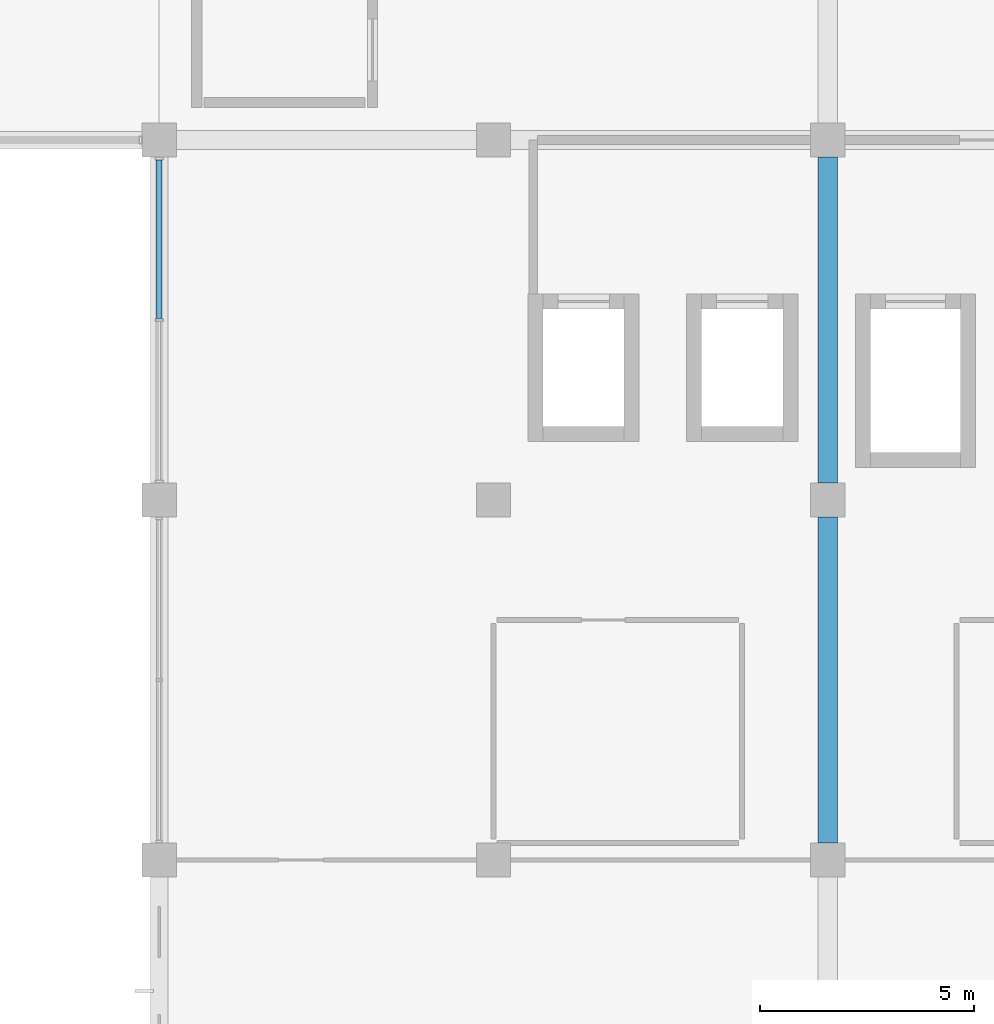
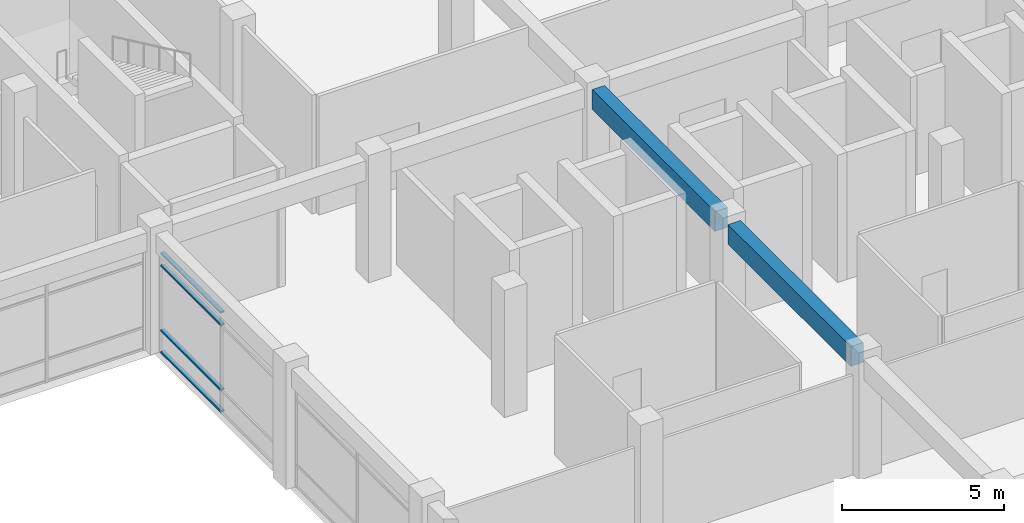
# One storey, part 26 of 62: 4 members, 2 beams, 1 element without a shape of its own.
"""IFC4 building model written with IfcOpenShell, lengths in metres."""

from ifc_helpers import new_model, si_unit, direction, frame, origin, origin_2d, place, context, subcontext, project, spatial, rectangle, hollow_rectangle, extrude, material, material_profile, profile_set, type_object, element, aggregate, save


model = new_model("IFC4")

# Units and contexts
model_context = context("Model", 3, precision=1e-05, world=origin(), true_north=direction((0.0, 1.0)))
body_context = subcontext(model_context, "Body", "Model", "MODEL_VIEW")
ifc_project = project(units=[si_unit("LENGTHUNIT", "METRE"), si_unit("AREAUNIT", "SQUARE_METRE"), si_unit("VOLUMEUNIT", "CUBIC_METRE"), si_unit("PLANEANGLEUNIT", "RADIAN"), si_unit("MASSUNIT", "GRAM", prefix="KILO"), si_unit("THERMODYNAMICTEMPERATUREUNIT", "KELVIN"), si_unit("POWERUNIT", "WATT")], contexts=[model_context])

# Site, building, storey
site_placement = place(None, origin())
site = spatial("IfcSite", under=ifc_project, at=site_placement, CompositionType="ELEMENT")
building_placement = place(site_placement, origin())
building = spatial("IfcBuilding", under=site, at=building_placement, Name="Srebrne Nadtorze General Hospital", CompositionType="ELEMENT")
storey_placement = place(building_placement, frame((0.0, 0.0, 9.60009765625)))
storey = spatial("IfcBuildingStorey", under=building, at=storey_placement, Name="L02", CompositionType="ELEMENT", Elevation=9.60009765625)

# Curtain wall, members
ifc_material_1 = material(Name="Anodised Aluminium", Category="aluminium")
curtain_wall_type = type_object("IfcCurtainWallType", Name="Unitised curtain wall 7600x3800", PredefinedType="NOTDEFINED", material=ifc_material_1)
curtain_wall_placement = place(storey_placement, origin())
curtain_wall = element("IfcCurtainWall", 1, at=curtain_wall_placement, inside=storey, type_object=curtain_wall_type, Name="Curtain wall CW-085", PredefinedType="NOTDEFINED")
ifc_material_2 = material(Name="Anodised Aluminium", Category="aluminium")
ifc_material_profile_1 = material_profile(ifc_material_2, hollow_rectangle(XDim=0.06494140625, YDim=0.139892578125, WallThickness=0.00390625, at=origin_2d()), Name="AL-TRN-65x140")
ifc_profile_set_1 = profile_set([ifc_material_profile_1], Name="Anodised Aluminium")
member_type = type_object("IfcMemberType", Name="Curtain transom 65x140", PredefinedType="USERDEFINED", material=ifc_profile_set_1)
member_1_placement = place(storey_placement, frame((101.39990234375, 46.232421875, 0.032470703125), z_axis=(0.0, 1.0, 0.0), x_axis=(0.0, 0.0, 1.0)))
member_1 = element("IfcMember", 2, at=member_1_placement, type_object=member_type, Name="CW-085 transom 2.1", ObjectType="TRANSOM", PredefinedType="USERDEFINED", context=body_context, shape_type="SweptSolid", body=[
    extrude(hollow_rectangle(XDim=0.06494140625, YDim=0.139892578125, WallThickness=0.00390625, at=origin_2d()), origin(), (0.0, 0.0, 1.0), 3.70263671875),
])
member_2_placement = place(storey_placement, frame((101.39990234375, 46.232421875, 0.849853515625), z_axis=(0.0, 1.0, 0.0), x_axis=(0.0, 0.0, 1.0)))
member_2 = element("IfcMember", 3, at=member_2_placement, type_object=member_type, Name="CW-085 transom 2.2", ObjectType="TRANSOM", PredefinedType="USERDEFINED", context=body_context, shape_type="SweptSolid", body=[
    extrude(hollow_rectangle(XDim=0.06494140625, YDim=0.139892578125, WallThickness=0.00390625, at=origin_2d()), origin(), (0.0, 0.0, 1.0), 3.70263671875),
])
member_3_placement = place(storey_placement, frame((101.39990234375, 46.232421875, 3.2998046875), z_axis=(0.0, 1.0, 0.0), x_axis=(0.0, 0.0, 1.0)))
member_3 = element("IfcMember", 4, at=member_3_placement, type_object=member_type, Name="CW-085 transom 2.3", ObjectType="TRANSOM", PredefinedType="USERDEFINED", context=body_context, shape_type="SweptSolid", body=[
    extrude(hollow_rectangle(XDim=0.06494140625, YDim=0.139892578125, WallThickness=0.00390625, at=origin_2d()), origin(), (0.0, 0.0, 1.0), 3.70263671875),
])
member_4_placement = place(storey_placement, frame((101.39990234375, 46.232421875, 3.767333984375), z_axis=(0.0, 1.0, 0.0), x_axis=(0.0, 0.0, 1.0)))
member_4 = element("IfcMember", 5, at=member_4_placement, type_object=member_type, Name="CW-085 transom 2.4", ObjectType="TRANSOM", PredefinedType="USERDEFINED", context=body_context, shape_type="SweptSolid", body=[
    extrude(hollow_rectangle(XDim=0.06494140625, YDim=0.139892578125, WallThickness=0.00390625, at=origin_2d()), origin(), (0.0, 0.0, 1.0), 3.70263671875),
])
aggregate(curtain_wall, [member_1, member_2, member_3, member_4])

# Beams
ifc_material_3 = material(Name="Concrete C40/50", Category="concrete")
ifc_material_profile_2 = material_profile(ifc_material_3, rectangle(XDim=0.449951171875, YDim=0.75, at=origin_2d()), Name="RC-BM-450x750")
ifc_profile_set_2 = profile_set([ifc_material_profile_2], Name="Concrete C40/50")
beam_type = type_object("IfcBeamType", Name="Primary beam RC 450x750", PredefinedType="BEAM", material=ifc_profile_set_2)
for number, where, z_axis, x_axis, name in (
    (6, (117.0, 34.0, 4.125), (0.0, 1.0, 0.0), (-1.0, 0.0, 0.0), "Beam BM-L02-Y-0684"),
    (7, (117.0, 42.39990234375, 4.125), (0.0, 1.0, 0.0), (-1.0, 0.0, 0.0), "Beam BM-L02-Y-0685"),
):
    element("IfcBeam", number, at=place(storey_placement, frame(where, z_axis=z_axis, x_axis=x_axis)), inside=storey, type_object=beam_type, Name=name, PredefinedType="BEAM", context=body_context, shape_type="SweptSolid", body=[
        extrude(rectangle(XDim=0.449951171875, YDim=0.75, at=origin_2d()), origin(), (0.0, 0.0, 1.0), 7.60009765625),
    ])

save(model, "model.ifc")
